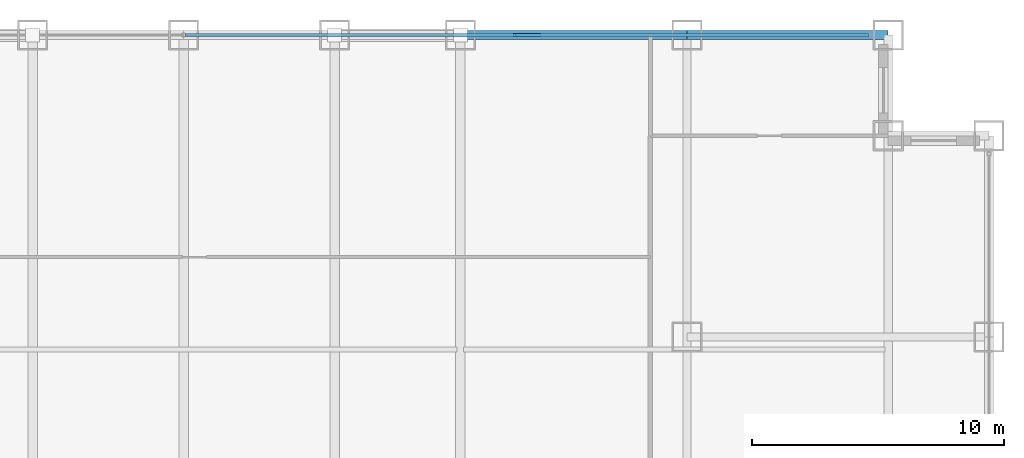
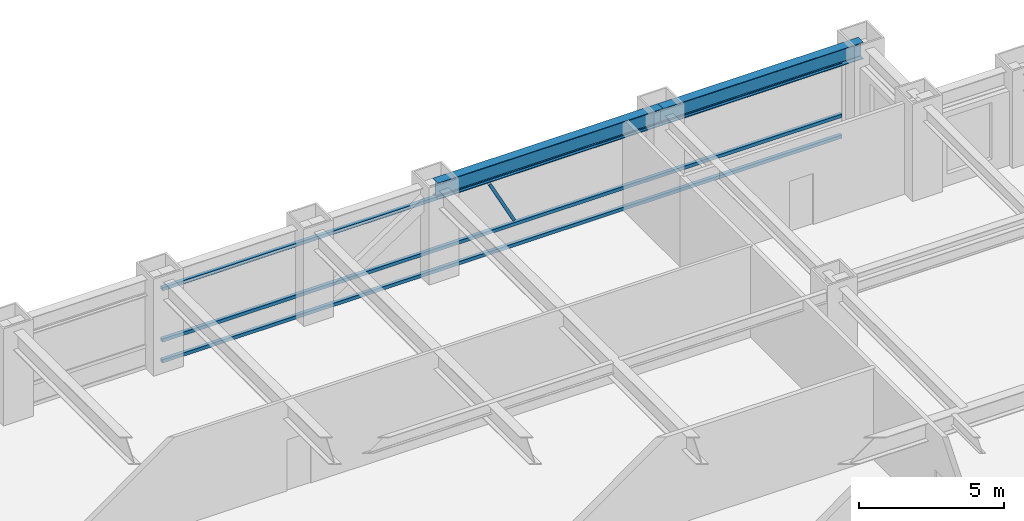
# One storey, part 20 of 27: 4 members, 2 beams, 1 element without a shape of its own.
"""IFC4 building model written with IfcOpenShell, lengths in metres."""

import ifcopenshell
import ifcopenshell.guid

model = None  # the IFC model being written
_history = None  # IfcOwnerHistory: only IFC2X3 demands one
_inside = {}  # id of a spatial element -> (the spatial element, [elements in it])
_under = {}  # id of a project, library or spatial element -> (it, [spatial elements below it])
_declared = {}  # id of a project -> (the project, [libraries it declares])
_typed = {}  # id of a type object -> (the type object, [elements of that type])
_made_of = {}  # id of a material, layer set ... -> (it, [elements and type objects made of it])


def new_model(schema):
    """Start an empty IFC model of exactly this schema.

    Asked for "IFC4X3", IfcOpenShell would pick the latest addendum, in which some entities
    have other attributes; the version numbers below select the first issue.
    IFC2X3 requires an IfcOwnerHistory on every rooted entity: one is made here for all.
    """
    global model, _history
    if schema == "IFC4X3":
        model = ifcopenshell.file(schema_version=(4, 3, 0, 0))
    else:
        model = ifcopenshell.file(schema=schema)
    _inside.clear()
    _under.clear()
    _declared.clear()
    _typed.clear()
    _made_of.clear()
    _history = None
    if model.schema == "IFC2X3":
        org = make("IfcOrganization", Name="unknown")
        user = make(
            "IfcPersonAndOrganization",
            ThePerson=make("IfcPerson", FamilyName="unknown"),
            TheOrganization=org,
        )
        app = make(
            "IfcApplication",
            ApplicationDeveloper=org,
            Version="unknown",
            ApplicationFullName="unknown",
            ApplicationIdentifier="unknown",
        )
        _history = make(
            "IfcOwnerHistory",
            OwningUser=user,
            OwningApplication=app,
            ChangeAction="ADDED",
            CreationDate=0,
        )
    return model


def make(cls, **values):
    """One entity of the class cls with the attributes given. An attribute that is None is left unset."""
    return model.create_entity(
        cls, **{name: value for name, value in values.items() if value is not None}
    )


def rooted(cls, **values):
    """An entity with a GlobalId (a new one), such as an element, a storey or a relation."""
    return make(cls, GlobalId=ifcopenshell.guid.new(), OwnerHistory=_history, **values)


def si_unit(unit_type, name, prefix=None):
    """IfcSIUnit, for example si_unit("LENGTHUNIT", "METRE", prefix="MILLI")."""
    return make("IfcSIUnit", UnitType=unit_type, Prefix=prefix, Name=name)


def assignment(units):
    """IfcUnitAssignment: the units of a project."""
    return None if units is None else make("IfcUnitAssignment", Units=units)


def point(xyz):
    """IfcCartesianPoint."""
    return None if xyz is None else make("IfcCartesianPoint", Coordinates=xyz)


def direction(xyz):
    """IfcDirection."""
    return None if xyz is None else make("IfcDirection", DirectionRatios=xyz)


def frame(location, z_axis=None, x_axis=None):
    """IfcAxis2Placement3D, a coordinate frame: its origin and axes. An axis left out is left unset."""
    return make(
        "IfcAxis2Placement3D",
        Location=point(location),
        Axis=direction(z_axis),
        RefDirection=direction(x_axis),
    )


def frame_2d(location, x_axis=None):
    """IfcAxis2Placement2D, a coordinate frame in the plane: its origin and x axis."""
    return make(
        "IfcAxis2Placement2D", Location=point(location), RefDirection=direction(x_axis)
    )


def origin():
    """The frame at (0, 0, 0) with its axes left unset."""
    return frame((0.0, 0.0, 0.0))


def origin_2d():
    """The frame at (0, 0) in the plane with its x axis left unset."""
    return frame_2d((0.0, 0.0))


def place(relative_to, where):
    """IfcLocalPlacement: puts the frame where relative to a parent placement (None: the world)."""
    return make(
        "IfcLocalPlacement", PlacementRelTo=relative_to, RelativePlacement=where
    )


def context(
    kind, dimensions, precision=None, world=None, true_north=None, identifier=None
):
    """IfcGeometricRepresentationContext, for example the 3D "Model" context."""
    return make(
        "IfcGeometricRepresentationContext",
        ContextIdentifier=identifier,
        ContextType=kind,
        CoordinateSpaceDimension=dimensions,
        Precision=precision,
        WorldCoordinateSystem=world,
        TrueNorth=true_north,
    )


def subcontext(parent, identifier, kind, view, scale=None):
    """IfcGeometricRepresentationSubContext, for example "Body" below "Model"."""
    return make(
        "IfcGeometricRepresentationSubContext",
        ContextIdentifier=identifier,
        ContextType=kind,
        ParentContext=parent,
        TargetScale=scale,
        TargetView=view,
    )


def project(units=None, contexts=None):
    """IfcProject with its units and contexts."""
    return rooted(
        "IfcProject",
        Name="project",
        RepresentationContexts=contexts,
        UnitsInContext=assignment(units),
    )


def spatial(cls, under=None, at=None, **own):
    """A site, building, storey or space (cls), placed at a placement, below another one or the project."""
    s = rooted(cls, ObjectPlacement=at, **own)
    if under is not None:
        _under.setdefault(under.id(), (under, []))[1].append(s)
    return s


def profile(cls, at=None, kind="AREA", **sizes):
    """A parametric profile (cls). Its sizes go by their IFC names, for example OverallWidth=200.0."""
    return make(cls, ProfileType=kind, Position=at, **sizes)


def hollow_rectangle(**sizes):
    """IfcRectangleHollowProfileDef."""
    return profile("IfcRectangleHollowProfileDef", **sizes)


def i_section(**sizes):
    """IfcIShapeProfileDef."""
    return profile("IfcIShapeProfileDef", **sizes)


def extrude(swept, where, along, depth):
    """IfcExtrudedAreaSolid: the profile swept, set in the frame where, extruded along a direction by depth."""
    return make(
        "IfcExtrudedAreaSolid",
        SweptArea=swept,
        Position=where,
        ExtrudedDirection=direction(along),
        Depth=depth,
    )


def shape(context_of_items, identifier, shape_type, items):
    """IfcShapeRepresentation: the items that make up one representation, for example the "Body"."""
    return make(
        "IfcShapeRepresentation",
        ContextOfItems=context_of_items,
        RepresentationIdentifier=identifier,
        RepresentationType=shape_type,
        Items=items,
    )


def source(mapping_origin, context_of_items, identifier, shape_type, items):
    """IfcRepresentationMap: a shape defined once, which mapped items show again and again."""
    return make(
        "IfcRepresentationMap",
        MappingOrigin=mapping_origin,
        MappedRepresentation=shape(context_of_items, identifier, shape_type, items),
    )


def transform(
    local_origin,
    x_axis=None,
    y_axis=None,
    z_axis=None,
    scale=None,
    scale2=None,
    scale3=None,
    uniform=True,
):
    """IfcCartesianTransformationOperator3D, or its non-uniform kind. x_axis, y_axis, z_axis: its Axis1, 2, 3."""
    if uniform:
        return make(
            "IfcCartesianTransformationOperator3D",
            Axis1=direction(x_axis),
            Axis2=direction(y_axis),
            LocalOrigin=point(local_origin),
            Scale=scale,
            Axis3=direction(z_axis),
        )
    return make(
        "IfcCartesianTransformationOperator3DnonUniform",
        Axis1=direction(x_axis),
        Axis2=direction(y_axis),
        LocalOrigin=point(local_origin),
        Scale=scale,
        Axis3=direction(z_axis),
        Scale2=scale2,
        Scale3=scale3,
    )


def mapped(mapping_source, mapping_target):
    """IfcMappedItem: shows the shape of a source again, moved by a transform."""
    return make(
        "IfcMappedItem", MappingSource=mapping_source, MappingTarget=mapping_target
    )


def material(Name=None, Category=None):
    """IfcMaterial."""
    return make("IfcMaterial", Name=Name, Category=Category)


def material_profile(
    of_material, cross_section, Name=None, Category=None, Priority=None
):
    """IfcMaterialProfile: a cross section and its material."""
    return make(
        "IfcMaterialProfile",
        Name=Name,
        Material=of_material,
        Profile=cross_section,
        Priority=Priority,
        Category=Category,
    )


def profile_set(profiles, Name=None, composite=None):
    """IfcMaterialProfileSet."""
    return make(
        "IfcMaterialProfileSet",
        Name=Name,
        MaterialProfiles=profiles,
        CompositeProfile=composite,
    )


def made_of(thing, what):
    """Note that an element or type object is made of a material, layer set ...; save() writes the relation."""
    if what is not None:
        _made_of.setdefault(what.id(), (what, []))[1].append(thing)
    return thing


def type_object(cls, material=None, **own):
    """A type object (cls), such as IfcWallType, which elements share."""
    return made_of(rooted(cls, **own), material)


def element(
    cls,
    number,
    at=None,
    inside=None,
    cuts=None,
    type_object=None,
    material=None,
    context=None,
    identifier="Body",
    shape_type=None,
    held_by="IfcProductDefinitionShape",
    body=None,
    shapes=None,
    **own,
):
    """One element of the class cls, such as IfcWall. Its Tag is "e" and its number.

    at: its placement. inside: the storey or other place that contains it. cuts: it is an
    opening in that element (IfcRelVoidsElement). A single representation is given by context,
    identifier, shape_type and body (its items); several are given by shapes. held_by: the class
    of the entity that holds the representations. save() writes the other relations.
    """
    e = rooted(cls, Tag="e%d" % number, ObjectPlacement=at, **own)
    if body is not None:
        shapes = [shape(context, identifier, shape_type, body)]
    if shapes is not None:
        e.Representation = make(held_by, Representations=shapes)
    if inside is not None:
        _inside.setdefault(inside.id(), (inside, []))[1].append(e)
    if cuts is not None:
        rooted(
            "IfcRelVoidsElement", RelatingBuildingElement=cuts, RelatedOpeningElement=e
        )
    if type_object is not None:
        _typed.setdefault(type_object.id(), (type_object, []))[1].append(e)
    return made_of(e, material)


def aggregate(whole, parts):
    """IfcRelAggregates: a whole, such as a stair, and the parts it consists of."""
    return rooted("IfcRelAggregates", RelatingObject=whole, RelatedObjects=parts)


def save(model, path):
    """Write the relations noted so far, then the file.

    IfcRelAggregates (storeys below a building ...), IfcRelContainedInSpatialStructure (elements
    in a storey), IfcRelDefinesByType, IfcRelAssociatesMaterial and IfcRelDeclares: one each for
    every whole, place, type object, material and project.
    """
    for whole, parts in _under.values():
        aggregate(whole, parts)
    for where, things in _inside.values():
        rooted(
            "IfcRelContainedInSpatialStructure",
            RelatedElements=things,
            RelatingStructure=where,
        )
    for kind, things in _typed.values():
        rooted("IfcRelDefinesByType", RelatedObjects=things, RelatingType=kind)
    for what, things in _made_of.values():
        rooted("IfcRelAssociatesMaterial", RelatedObjects=things, RelatingMaterial=what)
    for by, libraries in _declared.values():
        rooted("IfcRelDeclares", RelatingContext=by, RelatedDefinitions=libraries)
    model.write(path)


model = new_model("IFC4")

# Units and contexts
model_context = context("Model", 3, precision=1e-05, world=origin(), true_north=direction((0.0, 1.0)))
body_context = subcontext(model_context, "Body", "Model", "MODEL_VIEW")
ifc_project = project(units=[si_unit("LENGTHUNIT", "METRE"), si_unit("AREAUNIT", "SQUARE_METRE"), si_unit("VOLUMEUNIT", "CUBIC_METRE"), si_unit("PLANEANGLEUNIT", "RADIAN"), si_unit("MASSUNIT", "GRAM", prefix="KILO")], contexts=[model_context])

# Site, building, storey
site_placement = place(None, origin())
site = spatial("IfcSite", under=ifc_project, at=site_placement, CompositionType="ELEMENT")
building_placement = place(site_placement, origin())
building = spatial("IfcBuilding", under=site, at=building_placement, Name="Khorayat Bourse Tower", CompositionType="ELEMENT")
storey_placement = place(building_placement, frame((0.0, 0.0, 107.800048828125)))
storey = spatial("IfcBuildingStorey", under=building, at=storey_placement, Name="L24", CompositionType="ELEMENT", Elevation=107.800048828125)

# Beams
ifc_material_1 = material(Name="Steel ASTM A992 Grade 50", Category="steel")
ifc_material_profile_1 = material_profile(ifc_material_1, i_section(OverallWidth=0.35498046875, OverallDepth=0.695068359375, WebThickness=0.015380859375, FlangeThickness=0.02490234375, FilletRadius=0.01806640625, at=origin_2d()), Name="W690X217")
ifc_profile_set_1 = profile_set([ifc_material_profile_1], Name="Steel ASTM A992 Grade 50")
beam_type = type_object("IfcBeamType", Name="BM-SPAN-690", PredefinedType="SPANDREL", material=ifc_profile_set_1)
shared_shape_1 = source(origin(), body_context, "Body", "SweptSolid", [
    extrude(i_section(OverallWidth=0.35498046875, OverallDepth=0.695068359375, WebThickness=0.015380859375, FlangeThickness=0.02490234375, FilletRadius=0.01806640625, at=origin_2d()), origin(), (0.0, 0.0, 1.0), 9.0),
])
beam_1_placement = place(storey_placement, frame((11.0, 32.0, 3.492431640625), z_axis=(1.0, 0.0, 0.0), x_axis=(0.0, 1.0, 0.0)))
element("IfcBeam", 1, at=beam_1_placement, inside=storey, type_object=beam_type, Name="L24 BM-SPAN-690 BM-L24-SPN-045", PredefinedType="SPANDREL", context=body_context, shape_type="MappedRepresentation", body=[
    mapped(shared_shape_1, transform((0.0, 0.0, 0.0), scale=1.0)),
])
shared_shape_2 = source(origin(), body_context, "Body", "SweptSolid", [
    extrude(i_section(OverallWidth=0.35498046875, OverallDepth=0.695068359375, WebThickness=0.015380859375, FlangeThickness=0.02490234375, FilletRadius=0.01806640625, at=origin_2d()), origin(), (0.0, 0.0, 1.0), 8.0),
])
beam_2_placement = place(storey_placement, frame((20.0, 32.0, 3.492431640625), z_axis=(1.0, 0.0, 0.0), x_axis=(0.0, 1.0, 0.0)))
element("IfcBeam", 2, at=beam_2_placement, inside=storey, type_object=beam_type, Name="L24 BM-SPAN-690 BM-L24-SPN-044", PredefinedType="SPANDREL", context=body_context, shape_type="MappedRepresentation", body=[
    mapped(shared_shape_2, transform((0.0, 0.0, 0.0), scale=1.0)),
])

# Curtain wall, members
ifc_material_2 = material(Name="Aluminium EN AW-6063 T6", Category="aluminium")
curtain_wall_type = type_object("IfcCurtainWallType", Name="CW-SYS-02", PredefinedType="NOTDEFINED", material=ifc_material_2)
curtain_wall_placement = place(storey_placement, origin())
curtain_wall = element("IfcCurtainWall", 3, at=curtain_wall_placement, inside=storey, type_object=curtain_wall_type, Name="L24 Curtain Wall CW-L24-N1", PredefinedType="NOTDEFINED")
ifc_material_profile_2 = material_profile(ifc_material_2, hollow_rectangle(XDim=0.139892578125, YDim=0.139892578125, WallThickness=0.006103515625, at=origin_2d()), Name="ALU 140x140x6")
ifc_profile_set_2 = profile_set([ifc_material_profile_2], Name="Aluminium EN AW-6063 T6")
member_type_1 = type_object("IfcMemberType", Name="CWT-HORZ-140", PredefinedType="USERDEFINED", material=ifc_profile_set_2)
shared_shape_3 = source(origin(), body_context, "Body", "SweptSolid", [
    extrude(hollow_rectangle(XDim=0.139892578125, YDim=0.139892578125, WallThickness=0.006103515625, at=origin_2d()), origin(), (0.0, 0.0, 1.0), 27.139892578125),
])
member_1_placement = place(storey_placement, frame((0.070068359375, 32.0, 0.070068359375), z_axis=(1.0, 0.0, 0.0), x_axis=(0.0, 1.0, 0.0)))
member_1 = element("IfcMember", 4, at=member_1_placement, type_object=member_type_1, Name="CW-L24-N1 Horizontal Transom 2-1", ObjectType="TRANSOM", PredefinedType="USERDEFINED", context=body_context, shape_type="MappedRepresentation", body=[
    mapped(shared_shape_3, transform((0.0, 0.0, 0.0), scale=1.0)),
])
member_2_placement = place(storey_placement, frame((0.070068359375, 32.0, 0.949951171875), z_axis=(1.0, 0.0, 0.0), x_axis=(0.0, 1.0, 0.0)))
member_2 = element("IfcMember", 5, at=member_2_placement, type_object=member_type_1, Name="CW-L24-N1 Horizontal Transom 2-2", ObjectType="TRANSOM", PredefinedType="USERDEFINED", context=body_context, shape_type="MappedRepresentation", body=[
    mapped(shared_shape_3, transform((0.0, 0.0, 0.0), scale=1.0)),
])
member_3_placement = place(storey_placement, frame((0.070068359375, 32.0, 3.119873046875), z_axis=(1.0, 0.0, 0.0), x_axis=(0.0, 1.0, 0.0)))
member_3 = element("IfcMember", 6, at=member_3_placement, type_object=member_type_1, Name="CW-L24-N1 Horizontal Transom 2-3", ObjectType="TRANSOM", PredefinedType="USERDEFINED", context=body_context, shape_type="MappedRepresentation", body=[
    mapped(shared_shape_3, transform((0.0, 0.0, 0.0), scale=1.0)),
])
ifc_material_profile_3 = material_profile(ifc_material_2, hollow_rectangle(XDim=0.1201171875, YDim=0.1201171875, WallThickness=0.0048828125, at=origin_2d()), Name="ALU 120x120x5")
ifc_profile_set_3 = profile_set([ifc_material_profile_3], Name="Aluminium EN AW-6063 T6")
member_type_2 = type_object("IfcMemberType", Name="CWM-DIAG-120", PredefinedType="MULLION", material=ifc_profile_set_3)
shared_shape_4 = source(origin(), body_context, "Body", "SweptSolid", [
    extrude(hollow_rectangle(XDim=0.1201171875, YDim=0.1201171875, WallThickness=0.0048828125, at=origin_2d()), origin(), (0.0, 0.0, 1.0), 2.11328125),
])
member_4_placement = place(storey_placement, frame((14.132080078125, 32.0, 1.099853515625), z_axis=(-0.465694055905, 0.0, 0.884945787207), x_axis=(0.0, -1.0, 0.0)))
member_4 = element("IfcMember", 7, at=member_4_placement, type_object=member_type_2, Name="CW-L24-N1 Faceted Diagonal Mullion 2", PredefinedType="MULLION", context=body_context, shape_type="MappedRepresentation", body=[
    mapped(shared_shape_4, transform((0.0, 0.0, 0.0), scale=1.0)),
])
aggregate(curtain_wall, [member_1, member_2, member_3, member_4])

save(model, "model.ifc")
